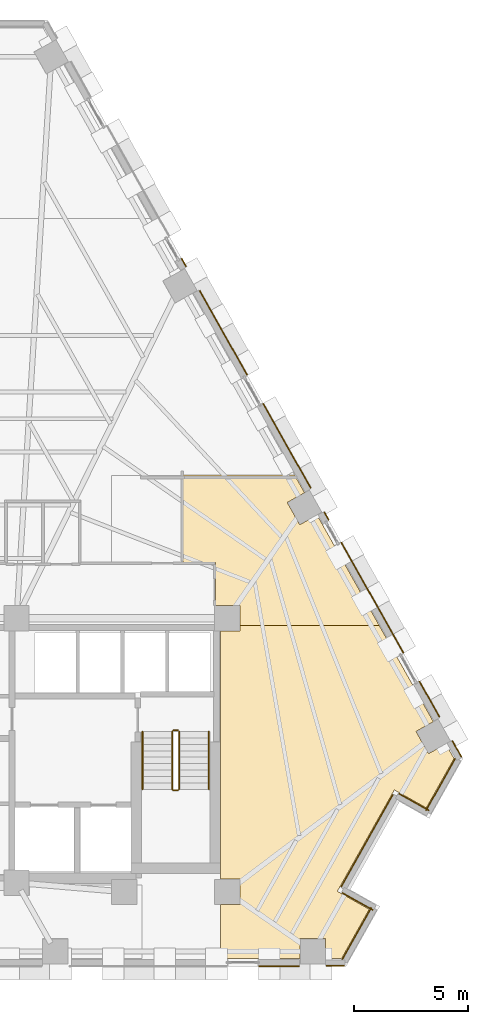
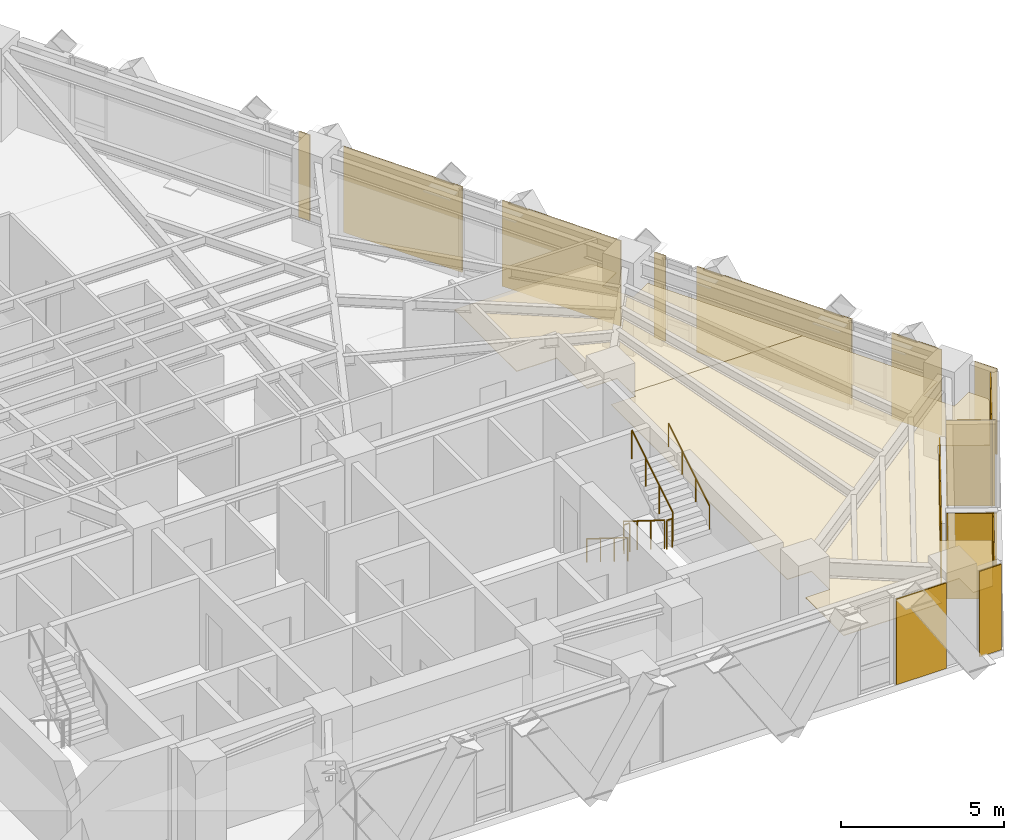
# One storey, part 12 of 13: 16 coverings, 6 railings.
"""IFC4 building model written with IfcOpenShell, lengths in metres."""

from ifc_helpers import new_model, si_unit, direction, frame, origin, origin_2d, place, context, subcontext, project, spatial, polyline, circle, outline, extrude, material, layer, layer_set, type_object, element, save


model = new_model("IFC4")

# Units and contexts
model_context = context("Model", 3, precision=1e-05, world=origin(), true_north=direction((0.0, 1.0)))
body_context = subcontext(model_context, "Body", "Model", "MODEL_VIEW")
ifc_project = project(units=[si_unit("LENGTHUNIT", "METRE"), si_unit("AREAUNIT", "SQUARE_METRE"), si_unit("VOLUMEUNIT", "CUBIC_METRE"), si_unit("PLANEANGLEUNIT", "RADIAN"), si_unit("MASSUNIT", "GRAM", prefix="KILO")], contexts=[model_context])

# Site, building, storey
site_placement = place(None, origin())
site = spatial("IfcSite", under=ifc_project, at=site_placement, CompositionType="ELEMENT")
building_placement = place(site_placement, origin())
building = spatial("IfcBuilding", under=site, at=building_placement, Name="Quenlor Broadcast Tower", CompositionType="ELEMENT")
storey_placement = place(building_placement, frame((0.0, 0.0, 98.5)))
storey = spatial("IfcBuildingStorey", under=building, at=storey_placement, Name="L26", CompositionType="ELEMENT", Elevation=98.5)

# Coverings
ifc_material_1 = material(Name="Acoustic Mineral Fibre Board", Category="other")
ifc_layer_1 = layer(ifc_material_1, 0.02490234375)
ifc_layer_set_1 = layer_set([ifc_layer_1], Name="Acoustic Perforated Mineral Tile Ceiling 25")
covering_type_1 = type_object("IfcCoveringType", Name="Acoustic Perforated Mineral Tile Ceiling 25", PredefinedType="CEILING", material=ifc_layer_set_1)
covering_1_placement = place(storey_placement, frame((0.0, 0.0, 2.22509765625)))
element("IfcCovering", 1, at=covering_1_placement, inside=storey, type_object=covering_type_1, Name="L26 Acoustic Ceiling L26-39", PredefinedType="CEILING", context=body_context, shape_type="SweptSolid", body=[
    extrude(outline(polyline([(11.0224609375, 1.4599609375), (15.888671875, 1.4599609375), (16.32666015625, 0.68115234375), (15.5703125, 0.255615234375), (16.1171875, -0.717041015625), (16.873779296875, -0.29150390625), (19.58984375, -5.1201171875), (13.508056640625, -5.1201171875), (13.508056640625, -4.241943359375), (12.43994140625, -4.241943359375), (12.43994140625, -2.3701171875), (11.0224609375, -2.3701171875), (11.0224609375, 1.4599609375)])), origin(), (0.0, 0.0, 1.0), 0.02490234375),
])
covering_2_placement = place(storey_placement, frame((0.0, 0.0, 2.22509765625)))
element("IfcCovering", 2, at=covering_2_placement, inside=storey, type_object=covering_type_1, Name="L26 Acoustic Ceiling L26-39-2", PredefinedType="CEILING", context=body_context, shape_type="SweptSolid", body=[
    extrude(outline(polyline([(21.951416015625, -9.318115234375), (21.19482421875, -9.74365234375), (21.741943359375, -10.71630859375), (22.49853515625, -10.290771484375), (22.85693359375, -10.927978515625), (21.64453125, -13.08349609375), (20.25, -12.299072265625), (17.759521484375, -16.7265625), (19.15380859375, -17.510986328125), (17.9453125, -19.659912109375), (17.25048828125, -19.659912109375), (17.25048828125, -18.7919921875), (16.134521484375, -18.7919921875), (16.134521484375, -19.659912109375), (12.64990234375, -19.659912109375), (12.64990234375, -17.30810546875), (13.508056640625, -17.30810546875), (13.508056640625, -16.19189453125), (12.64990234375, -16.19189453125), (12.64990234375, -5.35791015625), (13.508056640625, -5.35791015625), (13.508056640625, -5.1201171875), (19.58984375, -5.1201171875), (21.951416015625, -9.318115234375)])), origin(), (0.0, 0.0, 1.0), 0.02490234375),
])
ifc_material_2 = material(Name="Architectural Terracotta Ceramic", Category="masonry")
ifc_layer_2 = layer(ifc_material_2, 0.044921875)
ifc_layer_set_2 = layer_set([ifc_layer_2], Name="Fluted Terracotta Rainscreen Cladding Panel")
covering_type_2 = type_object("IfcCoveringType", Name="Fluted Terracotta Rainscreen Cladding Panel", PredefinedType="CLADDING", material=ifc_layer_set_2)
covering_3_placement = place(storey_placement, frame((0.0, 0.0, 0.02001953125)))
element("IfcCovering", 3, at=covering_3_placement, inside=storey, type_object=covering_type_2, Name="L26 Terracotta Rainscreen Cladding L26-SHD-SS0", PredefinedType="CLADDING", context=body_context, shape_type="SweptSolid", body=[
    extrude(outline(polyline([(18.053955078125, -19.951904296875), (17.277587890625, -19.951904296875), (17.277587890625, -19.9970703125), (18.053955078125, -19.9970703125), (18.053955078125, -19.951904296875)])), origin(), (0.0, 0.0, 1.0), 3.2099609375),
])
covering_4_placement = place(storey_placement, frame((0.0, 0.0, 0.02001953125)))
element("IfcCovering", 4, at=covering_4_placement, inside=storey, type_object=covering_type_2, Name="L26 Terracotta Rainscreen Cladding L26-SA-SP1", PredefinedType="CLADDING", context=body_context, shape_type="SweptSolid", body=[
    extrude(outline(polyline([(16.08740234375, -19.971923828125), (14.32177734375, -19.971923828125), (14.32177734375, -20.01708984375), (16.08740234375, -20.01708984375), (16.08740234375, -19.971923828125)])), origin(), (0.0, 0.0, 1.0), 3.2099609375),
])
covering_5_placement = place(storey_placement, frame((0.0, 0.0, 0.02001953125)))
element("IfcCovering", 5, at=covering_5_placement, inside=storey, type_object=covering_type_2, Name="L26 Terracotta Rainscreen Cladding L26-SHD-NES1", PredefinedType="CLADDING", context=body_context, shape_type="SweptSolid", body=[
    extrude(outline(polyline([(22.76611328125, -10.171142578125), (23.160888671875, -10.873046875), (23.2001953125, -10.85107421875), (22.805419921875, -10.149169921875), (22.76611328125, -10.171142578125)])), origin(), (0.0, 0.0, 1.0), 3.2099609375),
])
covering_6_placement = place(storey_placement, frame((0.0, 0.0, 0.02001953125)))
element("IfcCovering", 6, at=covering_6_placement, inside=storey, type_object=covering_type_2, Name="L26 Terracotta Rainscreen Cladding L26-NEA-SP3", PredefinedType="CLADDING", context=body_context, shape_type="SweptSolid", body=[
    extrude(outline(polyline([(10.936279296875, 10.900634765625), (11.13232421875, 10.552001953125), (11.171630859375, 10.57421875), (10.9755859375, 10.922607421875), (10.936279296875, 10.900634765625)])), origin(), (0.0, 0.0, 1.0), 3.2099609375),
])
covering_7_placement = place(storey_placement, frame((0.0, 0.0, 0.02001953125)))
element("IfcCovering", 7, at=covering_7_placement, inside=storey, type_object=covering_type_2, Name="L26 Terracotta Rainscreen Cladding L26-NEC-SP1", PredefinedType="CLADDING", context=body_context, shape_type="SweptSolid", body=[
    extrude(outline(polyline([(17.168701171875, -0.179443359375), (17.36474609375, -0.528076171875), (17.404052734375, -0.506103515625), (17.2080078125, -0.157470703125), (17.168701171875, -0.179443359375)])), origin(), (0.0, 0.0, 1.0), 3.2099609375),
])
covering_8_placement = place(storey_placement, frame((0.0, 0.0, 0.02001953125)))
element("IfcCovering", 8, at=covering_8_placement, inside=storey, type_object=covering_type_2, Name="L26 Terracotta Rainscreen Cladding L26-NEC-SP2", PredefinedType="CLADDING", context=body_context, shape_type="SweptSolid", body=[
    extrude(outline(polyline([(17.912841796875, -1.502197265625), (20.62744140625, -6.328369140625), (20.666748046875, -6.306396484375), (17.951904296875, -1.47998046875), (17.912841796875, -1.502197265625)])), origin(), (0.0, 0.0, 1.0), 3.2099609375),
])
covering_9_placement = place(storey_placement, frame((0.0, 0.0, 0.02001953125)))
element("IfcCovering", 9, at=covering_9_placement, inside=storey, type_object=covering_type_2, Name="L26 Terracotta Rainscreen Cladding L26-NEC-SP3", PredefinedType="CLADDING", context=body_context, shape_type="SweptSolid", body=[
    extrude(outline(polyline([(21.325927734375, -7.56982421875), (22.2001953125, -9.1240234375), (22.239501953125, -9.10205078125), (21.364990234375, -7.5478515625), (21.325927734375, -7.56982421875)])), origin(), (0.0, 0.0, 1.0), 3.2099609375),
])
covering_10_placement = place(storey_placement, frame((0.0, 0.0, 0.02001953125)))
element("IfcCovering", 10, at=covering_10_placement, inside=storey, type_object=covering_type_2, Name="L26 Terracotta Rainscreen Cladding L26-NE-SP1", PredefinedType="CLADDING", context=body_context, shape_type="SweptSolid", body=[
    extrude(outline(polyline([(11.72314453125, 9.501708984375), (13.801513671875, 5.806884765625), (13.8408203125, 5.8291015625), (11.76220703125, 9.523681640625), (11.72314453125, 9.501708984375)])), origin(), (0.0, 0.0, 1.0), 3.2099609375),
])
covering_11_placement = place(storey_placement, frame((0.0, 0.0, 0.02001953125)))
element("IfcCovering", 11, at=covering_11_placement, inside=storey, type_object=covering_type_2, Name="L26 Terracotta Rainscreen Cladding L26-NE-SP2", PredefinedType="CLADDING", context=body_context, shape_type="SweptSolid", body=[
    extrude(outline(polyline([(14.499755859375, 4.565673828125), (16.577880859375, 0.870849609375), (16.6171875, 0.892822265625), (14.538818359375, 4.587646484375), (14.499755859375, 4.565673828125)])), origin(), (0.0, 0.0, 1.0), 3.2099609375),
])
covering_12_placement = place(storey_placement, frame((0.0, 0.0, 0.02001953125)))
element("IfcCovering", 12, at=covering_12_placement, inside=storey, type_object=covering_type_2, Name="L26 Terracotta Rainscreen Cladding L26-CNR-01", PredefinedType="CLADDING", context=body_context, shape_type="SweptSolid", body=[
    extrude(outline(polyline([(19.31787109375, -17.525390625), (17.9755859375, -16.770263671875), (17.95361328125, -16.8095703125), (19.2958984375, -17.564697265625), (19.31787109375, -17.525390625)])), origin(), (0.0, 0.0, 1.0), 3.2099609375),
])
covering_13_placement = place(storey_placement, frame((0.0, 0.0, 0.02001953125)))
element("IfcCovering", 13, at=covering_13_placement, inside=storey, type_object=covering_type_2, Name="L26 Terracotta Rainscreen Cladding L26-CNR-02", PredefinedType="CLADDING", context=body_context, shape_type="SweptSolid", body=[
    extrude(outline(polyline([(17.941162109375, -16.5419921875), (20.206298828125, -12.515380859375), (20.1669921875, -12.493408203125), (17.902099609375, -16.52001953125), (17.941162109375, -16.5419921875)])), origin(), (0.0, 0.0, 1.0), 2.681884765625),
])
covering_14_placement = place(storey_placement, frame((0.0, 0.0, 0.02001953125)))
element("IfcCovering", 14, at=covering_14_placement, inside=storey, type_object=covering_type_2, Name="L26 Terracotta Rainscreen Cladding L26-CNR-03", PredefinedType="CLADDING", context=body_context, shape_type="SweptSolid", body=[
    extrude(outline(polyline([(20.4345703125, -12.48095703125), (21.741943359375, -13.21630859375), (21.763916015625, -13.177001953125), (20.45654296875, -12.441650390625), (20.4345703125, -12.48095703125)])), origin(), (0.0, 0.0, 1.0), 3.2099609375),
])
covering_15_placement = place(storey_placement, frame((0.0, 0.0, 0.02001953125)))
element("IfcCovering", 15, at=covering_15_placement, inside=storey, type_object=covering_type_2, Name="L26 Terracotta Rainscreen Cladding L26-CNR-04", PredefinedType="CLADDING", context=body_context, shape_type="SweptSolid", body=[
    extrude(outline(polyline([(21.64990234375, -13.212646484375), (22.926513671875, -10.94287109375), (22.887451171875, -10.9208984375), (21.610595703125, -13.190673828125), (21.64990234375, -13.212646484375)])), origin(), (0.0, 0.0, 1.0), 3.2099609375),
])
covering_16_placement = place(storey_placement, frame((0.0, 0.0, 0.02001953125)))
element("IfcCovering", 16, at=covering_16_placement, inside=storey, type_object=covering_type_2, Name="L26 Terracotta Rainscreen Cladding L26-CNR-18", PredefinedType="CLADDING", context=body_context, shape_type="SweptSolid", body=[
    extrude(outline(polyline([(17.991943359375, -19.71533203125), (19.26708984375, -17.448486328125), (19.227783203125, -17.426513671875), (17.952880859375, -19.693359375), (17.991943359375, -19.71533203125)])), origin(), (0.0, 0.0, 1.0), 3.2099609375),
])

# Railings
ifc_material_3 = material(Name="Anodised Aluminium", Category="aluminium")
railing_type_1 = type_object("IfcRailingType", Name="Stainless Aluminium Wall Handrail 900", PredefinedType="HANDRAIL", material=ifc_material_3)
railing_1_placement = place(storey_placement, frame((9.25, -9.75, 0.175048828125)))
element("IfcRailing", 17, at=railing_1_placement, inside=storey, type_object=railing_type_1, Name="L26 ST-2 stair handrail 1", PredefinedType="HANDRAIL", context=body_context, shape_type="SweptSolid", body=[
    extrude(circle(Radius=0.02392578125, at=origin_2d()), frame((0.0, 0.0, 0.8759765625), z_axis=(0.0, -0.848007534815, 0.529984170421), x_axis=(1.0, 0.0, 0.0)), (0.0, 0.0, 1.0), 2.9716796875),
    extrude(circle(Radius=0.02099609375, at=origin_2d()), origin(), (0.0, 0.0, 1.0), 0.851806640625),
    extrude(circle(Radius=0.02099609375, at=origin_2d()), frame((0.0, -0.840087890625, 0.52490234375)), (0.0, 0.0, 1.0), 0.851806640625),
    extrude(circle(Radius=0.02099609375, at=origin_2d()), frame((0.0, -1.679931640625, 1.050048828125)), (0.0, 0.0, 1.0), 0.851806640625),
    extrude(circle(Radius=0.02099609375, at=origin_2d()), frame((0.0, -2.52001953125, 1.574951171875)), (0.0, 0.0, 1.0), 0.851806640625),
])
railing_2_placement = place(storey_placement, frame((12.14990234375, -12.27001953125, 1.925048828125)))
element("IfcRailing", 18, at=railing_2_placement, inside=storey, type_object=railing_type_1, Name="L26 ST-2 stair handrail 2", PredefinedType="HANDRAIL", context=body_context, shape_type="SweptSolid", body=[
    extrude(circle(Radius=0.02392578125, at=origin_2d()), frame((0.0, 0.0, 0.8759765625), z_axis=(0.0, 0.848007534815, 0.529984170421), x_axis=(-1.0, 0.0, 0.0)), (0.0, 0.0, 1.0), 2.9716796875),
    extrude(circle(Radius=0.02099609375, at=origin_2d()), origin(), (0.0, 0.0, 1.0), 0.851806640625),
    extrude(circle(Radius=0.02099609375, at=origin_2d()), frame((0.0, 0.840087890625, 0.52490234375)), (0.0, 0.0, 1.0), 0.851806640625),
    extrude(circle(Radius=0.02099609375, at=origin_2d()), frame((0.0, 1.679931640625, 1.050048828125)), (0.0, 0.0, 1.0), 0.851806640625),
    extrude(circle(Radius=0.02099609375, at=origin_2d()), frame((0.0, 2.52001953125, 1.574951171875)), (0.0, 0.0, 1.0), 0.851806640625),
])
ifc_material_4 = material(Name="Steel S355", Category="steel")
railing_type_2 = type_object("IfcRailingType", Name="Tubular Steel S355 Stair Guardrail 1100", PredefinedType="BALUSTRADE", material=ifc_material_4)
railing_3_placement = place(storey_placement, frame((10.550048828125, -9.75, 0.175048828125)))
element("IfcRailing", 19, at=railing_3_placement, inside=storey, type_object=railing_type_2, Name="L26 ST-2 stair guard 1", PredefinedType="BALUSTRADE", context=body_context, shape_type="SweptSolid", body=[
    extrude(circle(Radius=0.02392578125, at=origin_2d()), frame((0.0, 0.0, 1.076171875), z_axis=(0.0, -0.848007534815, 0.529984170421), x_axis=(1.0, 0.0, 0.0)), (0.0, 0.0, 1.0), 2.9716796875),
    extrude(circle(Radius=0.02099609375, at=origin_2d()), origin(), (0.0, 0.0, 1.0), 1.052001953125),
    extrude(circle(Radius=0.02099609375, at=origin_2d()), frame((0.0, -0.840087890625, 0.52490234375)), (0.0, 0.0, 1.0), 1.052001953125),
    extrude(circle(Radius=0.02099609375, at=origin_2d()), frame((0.0, -1.679931640625, 1.050048828125)), (0.0, 0.0, 1.0), 1.052001953125),
    extrude(circle(Radius=0.02099609375, at=origin_2d()), frame((0.0, -2.52001953125, 1.574951171875)), (0.0, 0.0, 1.0), 1.052001953125),
])
railing_4_placement = place(storey_placement, frame((10.60009765625, -12.320068359375, 1.75)))
element("IfcRailing", 20, at=railing_4_placement, inside=storey, type_object=railing_type_2, Name="L26 ST-2 stair guard 2", PredefinedType="BALUSTRADE", context=body_context, shape_type="SweptSolid", body=[
    extrude(circle(Radius=0.02392578125, at=origin_2d()), frame((0.0, 0.0, 1.076171875), z_axis=(1.0, 0.0, 0.0), x_axis=(0.0, 1.0, 0.0)), (0.0, 0.0, 1.0), 0.199951171875),
    extrude(circle(Radius=0.02099609375, at=origin_2d()), origin(), (0.0, 0.0, 1.0), 1.052001953125),
    extrude(circle(Radius=0.02099609375, at=origin_2d()), frame((0.199951171875, 0.0, 0.0)), (0.0, 0.0, 1.0), 1.052001953125),
])
railing_5_placement = place(storey_placement, frame((10.85009765625, -12.27001953125, 1.925048828125)))
element("IfcRailing", 21, at=railing_5_placement, inside=storey, type_object=railing_type_2, Name="L26 ST-2 stair guard 3", PredefinedType="BALUSTRADE", context=body_context, shape_type="SweptSolid", body=[
    extrude(circle(Radius=0.02392578125, at=origin_2d()), frame((0.0, 0.0, 1.076171875), z_axis=(0.0, 0.848007534815, 0.529984170421), x_axis=(-1.0, 0.0, 0.0)), (0.0, 0.0, 1.0), 2.9716796875),
    extrude(circle(Radius=0.02099609375, at=origin_2d()), origin(), (0.0, 0.0, 1.0), 1.052001953125),
    extrude(circle(Radius=0.02099609375, at=origin_2d()), frame((0.0, 0.840087890625, 0.52490234375)), (0.0, 0.0, 1.0), 1.052001953125),
    extrude(circle(Radius=0.02099609375, at=origin_2d()), frame((0.0, 1.679931640625, 1.050048828125)), (0.0, 0.0, 1.0), 1.052001953125),
    extrude(circle(Radius=0.02099609375, at=origin_2d()), frame((0.0, 2.52001953125, 1.574951171875)), (0.0, 0.0, 1.0), 1.052001953125),
])
railing_6_placement = place(storey_placement, frame((10.60009765625, -9.699951171875, 0.0)))
element("IfcRailing", 22, at=railing_6_placement, inside=storey, type_object=railing_type_2, Name="L26 ST-2 stair guard 4", PredefinedType="BALUSTRADE", context=body_context, shape_type="SweptSolid", body=[
    extrude(circle(Radius=0.02392578125, at=origin_2d()), frame((0.0, 0.0, 1.076171875), z_axis=(1.0, 0.0, 0.0), x_axis=(0.0, 1.0, 0.0)), (0.0, 0.0, 1.0), 0.199951171875),
    extrude(circle(Radius=0.02099609375, at=origin_2d()), origin(), (0.0, 0.0, 1.0), 1.052001953125),
    extrude(circle(Radius=0.02099609375, at=origin_2d()), frame((0.199951171875, 0.0, 0.0)), (0.0, 0.0, 1.0), 1.052001953125),
])

save(model, "model.ifc")
